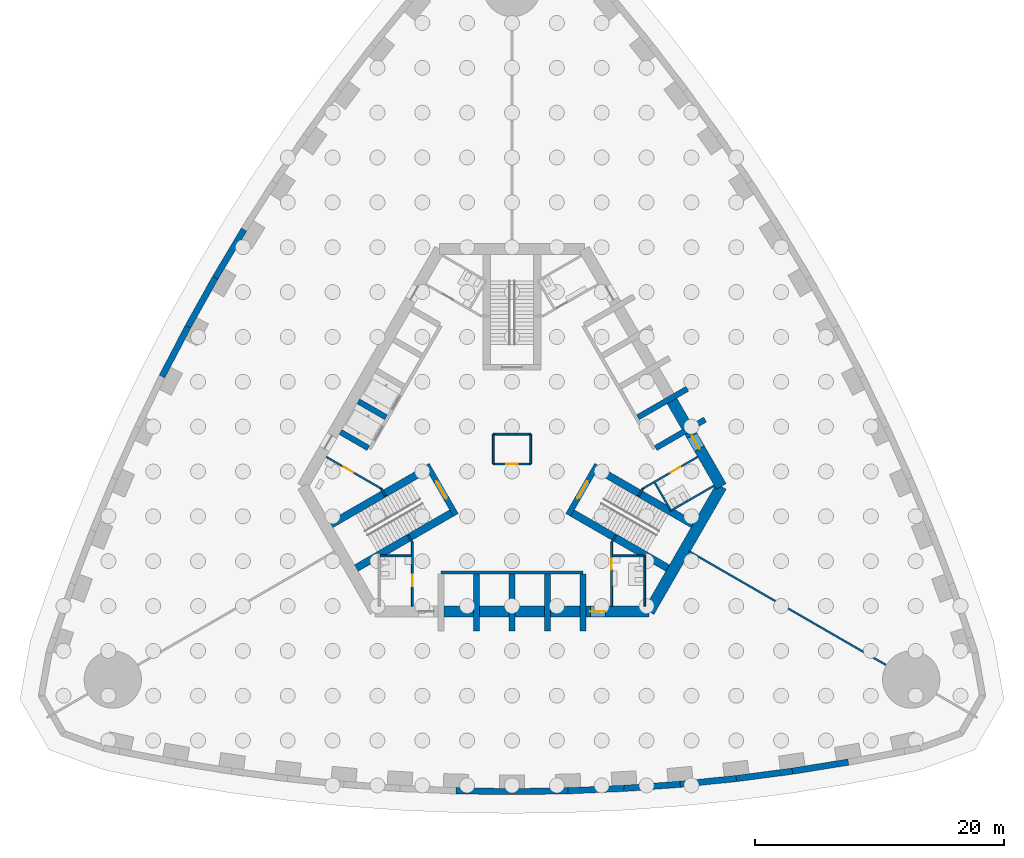
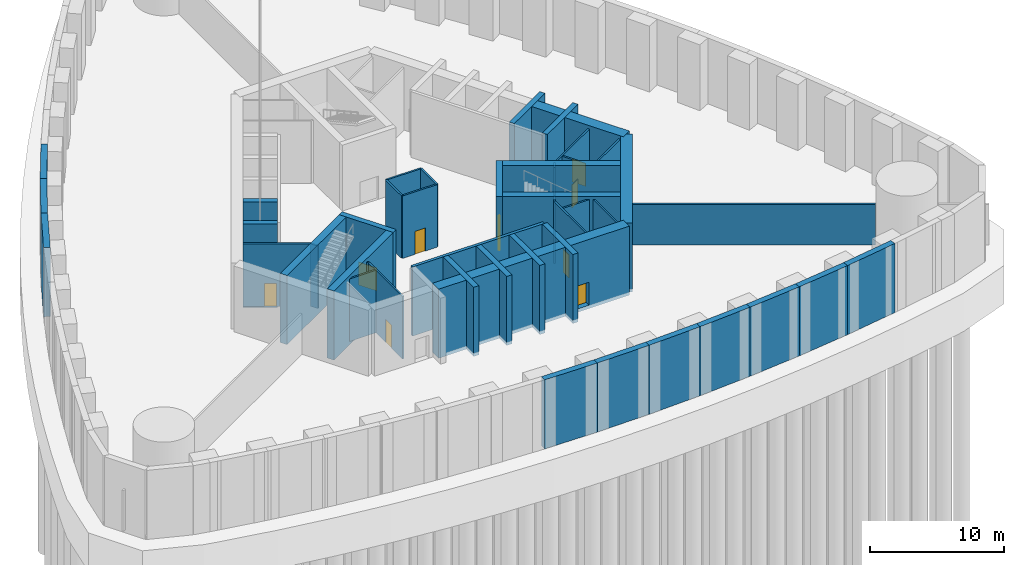
# One storey, part 3 of 12: 51 walls, 9 doors, 9 openings.
"""IFC4 building model written with IfcOpenShell, lengths in metres."""

from ifc_helpers import new_model, si_unit, direction, frame, frame_2d, origin, place, context, subcontext, project, spatial, rectangle, extrude, material, layer, layer_set, type_object, element, fill, save


model = new_model("IFC4")

# Units and contexts
model_context = context("Model", 3, precision=1e-05, world=origin(), true_north=direction((0.0, 1.0)))
body_context = subcontext(model_context, "Body", "Model", "MODEL_VIEW")
ifc_project = project(units=[si_unit("LENGTHUNIT", "METRE"), si_unit("AREAUNIT", "SQUARE_METRE"), si_unit("VOLUMEUNIT", "CUBIC_METRE"), si_unit("PLANEANGLEUNIT", "RADIAN"), si_unit("MASSUNIT", "GRAM", prefix="KILO")], contexts=[model_context])

# Site, building, storey
site_placement = place(None, origin())
site = spatial("IfcSite", under=ifc_project, at=site_placement, CompositionType="ELEMENT")
building_placement = place(site_placement, origin())
building = spatial("IfcBuilding", under=site, at=building_placement, Name="Trefoil Bronze Tower", CompositionType="ELEMENT")
storey_placement = place(building_placement, frame((0.0, 0.0, -6.0)))
storey = spatial("IfcBuildingStorey", under=building, at=storey_placement, Name="B1", CompositionType="ELEMENT", Elevation=-6.0)

# Walls
ifc_material_1 = material(Name="Concrete B40", Category="concrete")
ifc_layer_1 = layer(ifc_material_1, 0.5)
ifc_layer_set_1 = layer_set([ifc_layer_1], Name="Basement wall 500")
wall_type_1 = type_object("IfcWallType", Name="Basement wall 500", PredefinedType="SOLIDWALL", material=ifc_layer_set_1)
for number, where, z_axis, x_axis, name in (
    (1, (-4.5, -27.433349609375, -0.300048828125), (0.0, 0.0, 1.0), (0.999894311967, -0.014538393859, 0.0), "Basement wall 8"),
    (2, (0.0, -27.498779296875, -0.300048828125), (0.0, 0.0, 1.0), (0.999894311967, 0.014538393859, 0.0), "Basement wall 9"),
):
    element("IfcWall", number, at=place(storey_placement, frame(where, z_axis=z_axis, x_axis=x_axis)), inside=storey, type_object=wall_type_1, Name=name, PredefinedType="SOLIDWALL", context=body_context, shape_type="SweptSolid", body=[
        extrude(rectangle(XDim=4.50048828125, YDim=0.5, at=frame_2d((2.250244140625, 0.0))), origin(), (0.0, 0.0, 1.0), 6.300048828125),
    ])
wall_1_placement = place(storey_placement, frame((4.5, -27.433349609375, -0.300048828125), z_axis=(0.0, 0.0, 1.0), x_axis=(0.999052370647, 0.043524254212, 0.0)))
element("IfcWall", 3, at=wall_1_placement, inside=storey, type_object=wall_type_1, Name="Basement wall 10", PredefinedType="SOLIDWALL", context=body_context, shape_type="SweptSolid", body=[
    extrude(rectangle(XDim=4.504150390625, YDim=0.5, at=frame_2d((2.251953125, 0.0))), origin(), (0.0, 0.0, 1.0), 6.300048828125),
])
wall_2_placement = place(storey_placement, frame((9.0, -27.2373046875, -0.300048828125), z_axis=(0.0, 0.0, 1.0), x_axis=(0.997363894896, 0.072562119306, 0.0)))
element("IfcWall", 4, at=wall_2_placement, inside=storey, type_object=wall_type_1, Name="Basement wall 11", PredefinedType="SOLIDWALL", context=body_context, shape_type="SweptSolid", body=[
    extrude(rectangle(XDim=4.511962890625, YDim=0.5, at=frame_2d((2.255859375, 0.0))), origin(), (0.0, 0.0, 1.0), 6.300048828125),
])
wall_3_placement = place(storey_placement, frame((13.5, -26.909912109375, -0.300048828125), z_axis=(0.0, 0.0, 1.0), x_axis=(0.994833141332, 0.101523499286, 0.0)))
element("IfcWall", 5, at=wall_3_placement, inside=storey, type_object=wall_type_1, Name="Basement wall 12", PredefinedType="SOLIDWALL", context=body_context, shape_type="SweptSolid", body=[
    extrude(rectangle(XDim=4.5234375, YDim=0.5, at=frame_2d((2.26171875, 0.0))), origin(), (0.0, 0.0, 1.0), 6.300048828125),
])
wall_4_placement = place(storey_placement, frame((18.0, -26.45068359375, -0.300048828125), z_axis=(0.0, 0.0, 1.0), x_axis=(0.991435244698, 0.130599217346, 0.0)))
element("IfcWall", 6, at=wall_4_placement, inside=storey, type_object=wall_type_1, Name="Basement wall 13", PredefinedType="SOLIDWALL", context=body_context, shape_type="SweptSolid", body=[
    extrude(rectangle(XDim=4.538818359375, YDim=0.5, at=frame_2d((2.26953125, 0.0))), origin(), (0.0, 0.0, 1.0), 6.300048828125),
])
wall_5_placement = place(storey_placement, frame((22.5, -25.85791015625, -0.300048828125), z_axis=(0.0, 0.0, 1.0), x_axis=(0.987181300889, 0.159602879593, 0.0)))
element("IfcWall", 7, at=wall_5_placement, inside=storey, type_object=wall_type_1, Name="Basement wall 14", PredefinedType="SOLIDWALL", context=body_context, shape_type="SweptSolid", body=[
    extrude(rectangle(XDim=4.558349609375, YDim=0.5, at=frame_2d((2.279296875, 0.0))), origin(), (0.0, 0.0, 1.0), 6.300048828125),
])
wall_6_placement = place(storey_placement, frame((-21.508056640625, 17.61376953125, -0.300048828125), z_axis=(0.0, 0.0, 1.0), x_axis=(-0.51252396108, -0.858672923364, 0.0)))
element("IfcWall", 8, at=wall_6_placement, inside=storey, type_object=wall_type_1, Name="Basement wall 46", PredefinedType="SOLIDWALL", context=body_context, shape_type="SweptSolid", body=[
    extrude(rectangle(XDim=4.50048828125, YDim=0.5, at=frame_2d((2.250244140625, 0.0))), origin(), (0.0, 0.0, 1.0), 6.300048828125),
])
wall_7_placement = place(storey_placement, frame((-23.814697265625, 13.749267578125, -0.300048828125), z_axis=(0.0, 0.0, 1.0), x_axis=(-0.487373854787, -0.873193406795, 0.0)))
element("IfcWall", 9, at=wall_7_placement, inside=storey, type_object=wall_type_1, Name="Basement wall 47", PredefinedType="SOLIDWALL", context=body_context, shape_type="SweptSolid", body=[
    extrude(rectangle(XDim=4.500244140625, YDim=0.5, at=frame_2d((2.25, 0.0))), origin(), (0.0, 0.0, 1.0), 6.300048828125),
])
wall_8_placement = place(storey_placement, frame((-26.008056640625, 9.819580078125, -0.300048828125), z_axis=(0.0, 0.0, 1.0), x_axis=(-0.461810056307, -0.886978845235, 0.0)))
element("IfcWall", 10, at=wall_8_placement, inside=storey, type_object=wall_type_1, Name="Basement wall 48", PredefinedType="SOLIDWALL", context=body_context, shape_type="SweptSolid", body=[
    extrude(rectangle(XDim=4.504150390625, YDim=0.5, at=frame_2d((2.251953125, 0.0))), origin(), (0.0, 0.0, 1.0), 6.300048828125),
])
ifc_material_2 = material(Name="Concrete B80", Category="concrete")
ifc_layer_2 = layer(ifc_material_2, 0.89990234375)
ifc_layer_set_2 = layer_set([ifc_layer_2], Name="Core wall 900")
wall_type_2 = type_object("IfcWallType", Name="Core wall 900", PredefinedType="SHEAR", material=ifc_layer_set_2)
wall_9_placement = place(storey_placement, frame((-5.47509765625, -13.050048828125, -0.300048828125), z_axis=(0.0, 0.0, 1.0), x_axis=(1.0, 0.0, 0.0)))
element("IfcWall", 11, at=wall_9_placement, inside=storey, type_object=wall_type_2, Name="Core long wall 1-2 B1", PredefinedType="SHEAR", context=body_context, shape_type="SweptSolid", body=[
    extrude(rectangle(XDim=2.400146484375, YDim=0.89990234375, at=frame_2d((1.2001953125, 0.0))), origin(), (0.0, 0.0, 1.0), 6.300048828125),
])
for number, where, z_axis, x_axis, name in (
    (12, (-2.625, -13.050048828125, -0.300048828125), (0.0, 0.0, 1.0), (1.0, 0.0, 0.0), "Core long wall 1-3 B1"),
    (13, (0.22509765625, -13.050048828125, -0.300048828125), (0.0, 0.0, 1.0), (1.0, 0.0, 0.0), "Core long wall 1-4 B1"),
):
    element("IfcWall", number, at=place(storey_placement, frame(where, z_axis=z_axis, x_axis=x_axis)), inside=storey, type_object=wall_type_2, Name=name, PredefinedType="SHEAR", context=body_context, shape_type="SweptSolid", body=[
        extrude(rectangle(XDim=2.39990234375, YDim=0.89990234375, at=frame_2d((1.199951171875, 0.0))), origin(), (0.0, 0.0, 1.0), 6.300048828125),
    ])
wall_10_placement = place(storey_placement, frame((3.074951171875, -13.050048828125, -0.300048828125), z_axis=(0.0, 0.0, 1.0), x_axis=(1.0, 0.0, 0.0)))
element("IfcWall", 14, at=wall_10_placement, inside=storey, type_object=wall_type_2, Name="Core long wall 1-5 B1", PredefinedType="SHEAR", context=body_context, shape_type="SweptSolid", body=[
    extrude(rectangle(XDim=2.400146484375, YDim=0.89990234375, at=frame_2d((1.2001953125, 0.0))), origin(), (0.0, 0.0, 1.0), 6.300048828125),
])

# Wall, opening, door
wall_11_placement = place(storey_placement, frame((5.925048828125, -13.050048828125, -0.300048828125), z_axis=(0.0, 0.0, 1.0), x_axis=(1.0, 0.0, 0.0)))
wall_11 = element("IfcWall", 15, at=wall_11_placement, inside=storey, type_object=wall_type_2, Name="Core long wall 1-6 B1", PredefinedType="SHEAR", context=body_context, shape_type="SweptSolid", body=[
    extrude(rectangle(XDim=5.073486328125, YDim=0.89990234375, at=frame_2d((2.53662109375, 0.0))), origin(), (0.0, 0.0, 1.0), 6.300048828125),
])
opening_1_placement = place(wall_11_placement, frame((0.375, 0.0, 0.300048828125)))
opening_1 = element("IfcOpeningElement", 16, at=opening_1_placement, cuts=wall_11, Name="Opening D2", PredefinedType="OPENING", context=body_context, shape_type="SweptSolid", body=[
    extrude(rectangle(XDim=1.199951171875, YDim=2.10009765625, at=frame_2d((0.60009765625, 1.050048828125))), frame((0.0, 0.4599609375, 0.0), z_axis=(0.0, -1.0, 0.0), x_axis=(1.0, 0.0, 0.0)), (0.0, 0.0, 1.0), 0.919921875),
])
ifc_material_3 = material(Name="Steel door", Category="steel")
door_type_1 = type_object("IfcDoorType", Name="Lobby door 1200", OperationType="SINGLE_SWING_RIGHT", PredefinedType="DOOR", material=ifc_material_3)
door_1_placement = place(opening_1_placement, origin())
door_1 = element("IfcDoor", 17, at=door_1_placement, inside=storey, type_object=door_type_1, Name="Lobby door F1+ B1", OperationType="SINGLE_SWING_LEFT", OverallHeight=2.10009765625, OverallWidth=1.199951171875, PredefinedType="DOOR", context=body_context, shape_type="SweptSolid", body=[
    extrude(rectangle(XDim=1.199951171875, YDim=2.10009765625, at=frame_2d((0.60009765625, 1.050048828125))), frame((0.0, 0.02490234375, 0.0), z_axis=(0.0, -1.0, 0.0), x_axis=(1.0, 0.0, 0.0)), (0.0, 0.0, 1.0), 0.050048828125),
])
fill(opening_1, door_1)

# Wall
wall_12_placement = place(storey_placement, frame((10.99853515625, -13.050048828125, -0.300048828125), z_axis=(0.0, 0.0, 1.0), x_axis=(0.499990156827, 0.866031086669, 0.0)))
element("IfcWall", 18, at=wall_12_placement, inside=storey, type_object=wall_type_2, Name="Core short wall 1 B1", PredefinedType="SHEAR", context=body_context, shape_type="SweptSolid", body=[
    extrude(rectangle(XDim=11.604736328125, YDim=0.89990234375, at=frame_2d((5.80224609375, 0.0))), origin(), (0.0, 0.0, 1.0), 6.300048828125),
])

# Wall, opening, door
wall_13_placement = place(storey_placement, frame((16.80078125, -3.0, -0.300048828125), z_axis=(0.0, 0.0, 1.0), x_axis=(-0.499979327182, 0.866037338912, 0.0)))
wall_13 = element("IfcWall", 19, at=wall_13_placement, inside=storey, type_object=wall_type_2, Name="Core long wall 2-1 B1", PredefinedType="SHEAR", context=body_context, shape_type="SweptSolid", body=[
    extrude(rectangle(XDim=5.073486328125, YDim=0.89990234375, at=frame_2d((2.53662109375, 0.0))), origin(), (0.0, 0.0, 1.0), 6.300048828125),
])
opening_2_placement = place(wall_13_placement, frame((3.49853515625, 0.0, 0.300048828125)))
opening_2 = element("IfcOpeningElement", 20, at=opening_2_placement, cuts=wall_13, Name="Opening D2", PredefinedType="OPENING", context=body_context, shape_type="SweptSolid", body=[
    extrude(rectangle(XDim=1.199951171875, YDim=2.10009765625, at=frame_2d((0.60009765625, 1.050048828125))), frame((0.0, 0.4599609375, 0.0), z_axis=(0.0, -1.0, 0.0), x_axis=(1.0, 0.0, 0.0)), (0.0, 0.0, 1.0), 0.919921875),
])
door_2_placement = place(opening_2_placement, origin())
door_2 = element("IfcDoor", 21, at=door_2_placement, inside=storey, type_object=door_type_1, Name="Lobby door F2- B1", OperationType="SINGLE_SWING_RIGHT", OverallHeight=2.10009765625, OverallWidth=1.199951171875, PredefinedType="DOOR", context=body_context, shape_type="SweptSolid", body=[
    extrude(rectangle(XDim=1.199951171875, YDim=2.10009765625, at=frame_2d((0.60009765625, 1.050048828125))), frame((0.0, 0.02490234375, 0.0), z_axis=(0.0, -1.0, 0.0), x_axis=(1.0, 0.0, 0.0)), (0.0, 0.0, 1.0), 0.050048828125),
])
fill(opening_2, door_2)

# Walls
wall_14_placement = place(storey_placement, frame((14.0390625, 1.783447265625, -0.300048828125), z_axis=(0.0, 0.0, 1.0), x_axis=(-0.499957262057, 0.866050077142, 0.0)))
element("IfcWall", 22, at=wall_14_placement, inside=storey, type_object=wall_type_2, Name="Core long wall 2-2 B1", PredefinedType="SHEAR", context=body_context, shape_type="SweptSolid", body=[
    extrude(rectangle(XDim=2.400146484375, YDim=0.89990234375, at=frame_2d((1.2001953125, 0.0))), origin(), (0.0, 0.0, 1.0), 6.300048828125),
])
ifc_material_4 = material(Name="Concrete B80", Category="concrete")
ifc_layer_3 = layer(ifc_material_4, 0.449951171875)
ifc_layer_set_3 = layer_set([ifc_layer_3], Name="Outrigger shaft wall 450")
wall_type_3 = type_object("IfcWallType", Name="Outrigger shaft wall 450", PredefinedType="SHEAR", material=ifc_layer_set_3)
for number, where, z_axis, x_axis, name in (
    (23, (-2.85009765625, -10.02490234375, -0.300048828125), (0.0, 0.0, 1.0), (0.0, -1.0, 0.0), "Lift shaft side wall A1 B1"),
    (24, (0.0, -10.02490234375, -0.300048828125), (0.0, 0.0, 1.0), (0.0, -1.0, 0.0), "Lift shaft side wall A2 B1"),
    (25, (2.85009765625, -10.02490234375, -0.300048828125), (0.0, 0.0, 1.0), (0.0, -1.0, 0.0), "Lift shaft side wall A3 B1"),
    (26, (5.699951171875, -10.02490234375, -0.300048828125), (0.0, 0.0, 1.0), (0.0, -1.0, 0.0), "Lift shaft side wall A4 B1"),
):
    element("IfcWall", number, at=place(storey_placement, frame(where, z_axis=z_axis, x_axis=x_axis)), inside=storey, type_object=wall_type_3, Name=name, PredefinedType="SHEAR", context=body_context, shape_type="SweptSolid", body=[
        extrude(rectangle(XDim=4.5751953125, YDim=0.449951171875, at=frame_2d((2.28759765625, 0.0))), origin(), (0.0, 0.0, 1.0), 6.300048828125),
    ])
for number, where, z_axis, x_axis, name in (
    (27, (11.531982421875, 0.076171875, -0.300048828125), (0.0, 0.0, 1.0), (0.86600784526, 0.500030411023, 0.0), "Lift shaft side wall B0 B1"),
    (28, (10.10693359375, 2.54443359375, -0.300048828125), (0.0, 0.0, 1.0), (0.866044293806, 0.499967280095, 0.0), "Lift shaft side wall B1 B1"),
):
    element("IfcWall", number, at=place(storey_placement, frame(where, z_axis=z_axis, x_axis=x_axis)), inside=storey, type_object=wall_type_3, Name=name, PredefinedType="SHEAR", context=body_context, shape_type="SweptSolid", body=[
        extrude(rectangle(XDim=4.574951171875, YDim=0.449951171875, at=frame_2d((2.28759765625, 0.0))), origin(), (0.0, 0.0, 1.0), 6.300048828125),
    ])
for number, where, z_axis, x_axis, name in (
    (29, (-10.10693359375, 2.54443359375, -1.60009765625), (0.0, 0.0, 1.0), (-0.866046643894, 0.499963209246, 0.0), "Lift shaft side wall C3 B1"),
    (30, (-11.531982421875, 0.076171875, -1.60009765625), (0.0, 0.0, 1.0), (-0.866005588531, 0.500034319456, 0.0), "Lift shaft side wall C4 B1"),
):
    element("IfcWall", number, at=place(storey_placement, frame(where, z_axis=z_axis, x_axis=x_axis)), inside=storey, type_object=wall_type_3, Name=name, PredefinedType="SHEAR", context=body_context, shape_type="SweptSolid", body=[
        extrude(rectangle(XDim=2.574951171875, YDim=0.449951171875, at=frame_2d((1.28759765625, 0.0))), origin(), (0.0, 0.0, 1.0), 7.60009765625),
    ])

# Wall, opening, door
wall_15_placement = place(storey_placement, frame((4.510009765625, -5.28857421875, -0.300048828125), z_axis=(0.0, 0.0, 1.0), x_axis=(0.499984536904, 0.866034331223, 0.0)))
wall_15 = element("IfcWall", 31, at=wall_15_placement, inside=storey, type_object=wall_type_3, Name="Stair end wall ST1 B1", PredefinedType="SHEAR", context=body_context, shape_type="SweptSolid", body=[
    extrude(rectangle(XDim=4.650146484375, YDim=0.449951171875, at=frame_2d((2.3251953125, 0.0))), origin(), (0.0, 0.0, 1.0), 6.300048828125),
])
opening_3_placement = place(wall_15_placement, frame((1.52490234375, 0.0, 0.300048828125)))
opening_3 = element("IfcOpeningElement", 32, at=opening_3_placement, cuts=wall_15, Name="Opening D1", PredefinedType="OPENING", context=body_context, shape_type="SweptSolid", body=[
    extrude(rectangle(XDim=1.60009765625, YDim=2.10009765625, at=frame_2d((0.800048828125, 1.050048828125))), frame((0.0, 0.23486328125, 0.0), z_axis=(0.0, -1.0, 0.0), x_axis=(1.0, 0.0, 0.0)), (0.0, 0.0, 1.0), 0.469970703125),
])
ifc_material_5 = material(Name="Steel door", Category="steel")
door_type_2 = type_object("IfcDoorType", Name="Stair door 1600", OperationType="DOUBLE_DOOR_SINGLE_SWING", PredefinedType="DOOR", material=ifc_material_5)
door_3_placement = place(opening_3_placement, frame((1.60009765625, 0.0, 0.0), z_axis=(0.0, 0.0, 1.0), x_axis=(-1.0, 0.0, 0.0)))
door_3 = element("IfcDoor", 33, at=door_3_placement, inside=storey, type_object=door_type_2, Name="Stair door ST1 B1", OperationType="DOUBLE_DOOR_SINGLE_SWING", OverallHeight=2.10009765625, OverallWidth=1.60009765625, PredefinedType="DOOR", context=body_context, shape_type="SweptSolid", body=[
    extrude(rectangle(XDim=1.60009765625, YDim=2.10009765625, at=frame_2d((0.800048828125, 1.050048828125))), frame((0.0, 0.02490234375, 0.0), z_axis=(0.0, -1.0, 0.0), x_axis=(1.0, 0.0, 0.0)), (0.0, 0.0, 1.0), 0.050048828125),
])
fill(opening_3, door_3)

wall_16_placement = place(storey_placement, frame((-6.8349609375, -1.261474609375, -0.300048828125), z_axis=(0.0, 0.0, 1.0), x_axis=(0.499984536904, -0.866034331223, 0.0)))
wall_16 = element("IfcWall", 34, at=wall_16_placement, inside=storey, type_object=wall_type_3, Name="Stair end wall ST3 B1", PredefinedType="SHEAR", context=body_context, shape_type="SweptSolid", body=[
    extrude(rectangle(XDim=4.650146484375, YDim=0.449951171875, at=frame_2d((2.3251953125, 0.0))), origin(), (0.0, 0.0, 1.0), 6.300048828125),
])
opening_4_placement = place(wall_16_placement, frame((1.52490234375, 0.0, 0.300048828125)))
opening_4 = element("IfcOpeningElement", 35, at=opening_4_placement, cuts=wall_16, Name="Opening D1", PredefinedType="OPENING", context=body_context, shape_type="SweptSolid", body=[
    extrude(rectangle(XDim=1.60009765625, YDim=2.10009765625, at=frame_2d((0.800048828125, 1.050048828125))), frame((0.0, 0.23486328125, 0.0), z_axis=(0.0, -1.0, 0.0), x_axis=(1.0, 0.0, 0.0)), (0.0, 0.0, 1.0), 0.469970703125),
])
door_4_placement = place(opening_4_placement, frame((1.60009765625, 0.0, 0.0), z_axis=(0.0, 0.0, 1.0), x_axis=(-1.0, 0.0, 0.0)))
door_4 = element("IfcDoor", 36, at=door_4_placement, inside=storey, type_object=door_type_2, Name="Stair door ST3 B1", OperationType="DOUBLE_DOOR_SINGLE_SWING", OverallHeight=2.10009765625, OverallWidth=1.60009765625, PredefinedType="DOOR", context=body_context, shape_type="SweptSolid", body=[
    extrude(rectangle(XDim=1.60009765625, YDim=2.10009765625, at=frame_2d((0.800048828125, 1.050048828125))), frame((0.0, 0.02490234375, 0.0), z_axis=(0.0, -1.0, 0.0), x_axis=(1.0, 0.0, 0.0)), (0.0, 0.0, 1.0), 0.050048828125),
])
fill(opening_4, door_4)

ifc_material_6 = material(Name="Gypsum board on steel studs", Category="steel")
ifc_layer_4 = layer(ifc_material_6, 0.14990234375)
ifc_layer_set_4 = layer_set([ifc_layer_4], Name="Partition 150")
wall_type_4 = type_object("IfcWallType", Name="Partition 150", PredefinedType="PARTITIONING", material=ifc_layer_set_4)
wall_17_placement = place(storey_placement, frame((8.0, -7.5, 0.0), z_axis=(0.0, 0.0, 1.0), x_axis=(0.0, -1.0, 0.0)))
wall_17 = element("IfcWall", 37, at=wall_17_placement, inside=storey, type_object=wall_type_4, Name="Passage wall F1+ B1", PredefinedType="PARTITIONING", context=body_context, shape_type="SweptSolid", body=[
    extrude(rectangle(XDim=5.10009765625, YDim=0.14990234375, at=frame_2d((2.550048828125, 0.0))), origin(), (0.0, 0.0, 1.0), 5.699951171875),
])
opening_5_placement = place(wall_17_placement, frame((1.300048828125, 0.0, 0.0)))
opening_5 = element("IfcOpeningElement", 38, at=opening_5_placement, cuts=wall_17, Name="Opening D3", PredefinedType="OPENING", context=body_context, shape_type="SweptSolid", body=[
    extrude(rectangle(XDim=0.89990234375, YDim=2.10009765625, at=frame_2d((0.449951171875, 1.050048828125))), frame((0.0, 0.0849609375, 0.0), z_axis=(0.0, -1.0, 0.0), x_axis=(1.0, 0.0, 0.0)), (0.0, 0.0, 1.0), 0.169921875),
])
ifc_material_7 = material(Name="Timber door", Category="wood")
door_type_3 = type_object("IfcDoorType", Name="WC door 900", OperationType="SINGLE_SWING_LEFT", PredefinedType="DOOR", material=ifc_material_7)
door_5_placement = place(opening_5_placement, origin())
door_5 = element("IfcDoor", 39, at=door_5_placement, inside=storey, type_object=door_type_3, Name="WC (men) door B1", OperationType="SINGLE_SWING_LEFT", OverallHeight=2.10009765625, OverallWidth=0.89990234375, PredefinedType="DOOR", context=body_context, shape_type="SweptSolid", body=[
    extrude(rectangle(XDim=0.89990234375, YDim=2.10009765625, at=frame_2d((0.449951171875, 1.050048828125))), frame((0.0, 0.02490234375, 0.0), z_axis=(0.0, -1.0, 0.0), x_axis=(1.0, 0.0, 0.0)), (0.0, 0.0, 1.0), 0.050048828125),
])
fill(opening_5, door_5)

wall_18_placement = place(storey_placement, frame((-8.0, -7.5, 0.0), z_axis=(0.0, 0.0, 1.0), x_axis=(0.0, -1.0, 0.0)))
wall_18 = element("IfcWall", 40, at=wall_18_placement, inside=storey, type_object=wall_type_4, Name="Passage wall F1- B1", PredefinedType="PARTITIONING", context=body_context, shape_type="SweptSolid", body=[
    extrude(rectangle(XDim=5.10009765625, YDim=0.14990234375, at=frame_2d((2.550048828125, 0.0))), origin(), (0.0, 0.0, 1.0), 5.699951171875),
])
opening_6_placement = place(wall_18_placement, frame((2.60009765625, 0.0, 0.0)))
opening_6 = element("IfcOpeningElement", 41, at=opening_6_placement, cuts=wall_18, Name="Opening D3", PredefinedType="OPENING", context=body_context, shape_type="SweptSolid", body=[
    extrude(rectangle(XDim=0.89990234375, YDim=2.10009765625, at=frame_2d((0.449951171875, 1.050048828125))), frame((0.0, 0.0849609375, 0.0), z_axis=(0.0, -1.0, 0.0), x_axis=(1.0, 0.0, 0.0)), (0.0, 0.0, 1.0), 0.169921875),
])
door_6_placement = place(opening_6_placement, frame((0.89990234375, 0.0, 0.0), z_axis=(0.0, 0.0, 1.0), x_axis=(-1.0, 0.0, 0.0)))
door_6 = element("IfcDoor", 42, at=door_6_placement, inside=storey, type_object=door_type_3, Name="WC (women) door B1", OperationType="SINGLE_SWING_RIGHT", OverallHeight=2.10009765625, OverallWidth=0.89990234375, PredefinedType="DOOR", context=body_context, shape_type="SweptSolid", body=[
    extrude(rectangle(XDim=0.89990234375, YDim=2.10009765625, at=frame_2d((0.449951171875, 1.050048828125))), frame((0.0, 0.02490234375, 0.0), z_axis=(0.0, -1.0, 0.0), x_axis=(1.0, 0.0, 0.0)), (0.0, 0.0, 1.0), 0.050048828125),
])
fill(opening_6, door_6)

wall_19_placement = place(storey_placement, frame((10.4951171875, -3.17822265625, 0.0), z_axis=(0.0, 0.0, 1.0), x_axis=(0.86602216432, 0.500005610874, 0.0)))
wall_19 = element("IfcWall", 43, at=wall_19_placement, inside=storey, type_object=wall_type_4, Name="Passage wall F2- B1", PredefinedType="PARTITIONING", context=body_context, shape_type="SweptSolid", body=[
    extrude(rectangle(XDim=5.10009765625, YDim=0.14990234375, at=frame_2d((2.550048828125, 0.0))), origin(), (0.0, 0.0, 1.0), 5.699951171875),
])
opening_7_placement = place(wall_19_placement, frame((2.60009765625, 0.0, 0.0)))
opening_7 = element("IfcOpeningElement", 44, at=opening_7_placement, cuts=wall_19, Name="Opening D3", PredefinedType="OPENING", context=body_context, shape_type="SweptSolid", body=[
    extrude(rectangle(XDim=0.89990234375, YDim=2.10009765625, at=frame_2d((0.449951171875, 1.050048828125))), frame((0.0, 0.0849609375, 0.0), z_axis=(0.0, -1.0, 0.0), x_axis=(1.0, 0.0, 0.0)), (0.0, 0.0, 1.0), 0.169921875),
])
door_7_placement = place(opening_7_placement, frame((0.89990234375, 0.0, 0.0), z_axis=(0.0, 0.0, 1.0), x_axis=(-1.0, 0.0, 0.0)))
door_7 = element("IfcDoor", 45, at=door_7_placement, inside=storey, type_object=door_type_3, Name="WC (women) door B1", OperationType="SINGLE_SWING_RIGHT", OverallHeight=2.10009765625, OverallWidth=0.89990234375, PredefinedType="DOOR", context=body_context, shape_type="SweptSolid", body=[
    extrude(rectangle(XDim=0.89990234375, YDim=2.10009765625, at=frame_2d((0.449951171875, 1.050048828125))), frame((0.0, 0.02490234375, 0.0), z_axis=(0.0, -1.0, 0.0), x_axis=(1.0, 0.0, 0.0)), (0.0, 0.0, 1.0), 0.050048828125),
])
fill(opening_7, door_7)

wall_20_placement = place(storey_placement, frame((-10.4951171875, -3.17822265625, 0.0), z_axis=(0.0, 0.0, 1.0), x_axis=(-0.86602216432, 0.500005610874, 0.0)))
wall_20 = element("IfcWall", 46, at=wall_20_placement, inside=storey, type_object=wall_type_4, Name="Passage wall F3+ B1", PredefinedType="PARTITIONING", context=body_context, shape_type="SweptSolid", body=[
    extrude(rectangle(XDim=5.10009765625, YDim=0.14990234375, at=frame_2d((2.550048828125, 0.0))), origin(), (0.0, 0.0, 1.0), 5.699951171875),
])
opening_8_placement = place(wall_20_placement, frame((2.60009765625, 0.0, 0.0)))
opening_8 = element("IfcOpeningElement", 47, at=opening_8_placement, cuts=wall_20, Name="Opening D3", PredefinedType="OPENING", context=body_context, shape_type="SweptSolid", body=[
    extrude(rectangle(XDim=0.89990234375, YDim=2.10009765625, at=frame_2d((0.449951171875, 1.050048828125))), frame((0.0, 0.0849609375, 0.0), z_axis=(0.0, -1.0, 0.0), x_axis=(1.0, 0.0, 0.0)), (0.0, 0.0, 1.0), 0.169921875),
])
door_8_placement = place(opening_8_placement, origin())
door_8 = element("IfcDoor", 48, at=door_8_placement, inside=storey, type_object=door_type_3, Name="Accessible WC door B1", OperationType="SINGLE_SWING_RIGHT", OverallHeight=2.10009765625, OverallWidth=0.89990234375, PredefinedType="DOOR", context=body_context, shape_type="SweptSolid", body=[
    extrude(rectangle(XDim=0.89990234375, YDim=2.10009765625, at=frame_2d((0.449951171875, 1.050048828125))), frame((0.0, 0.02490234375, 0.0), z_axis=(0.0, -1.0, 0.0), x_axis=(1.0, 0.0, 0.0)), (0.0, 0.0, 1.0), 0.050048828125),
])
fill(opening_8, door_8)

# Walls
for number, where, z_axis, x_axis, name in (
    (49, (8.0, -7.5, 0.0), (0.0, 0.0, 1.0), (0.499842556608, 0.866116284689, 0.0), "WC wall ST1-1 B1"),
    (50, (10.4951171875, -3.17822265625, 0.0), (0.0, 0.0, 1.0), (-0.499842556608, -0.866116284689, 0.0), "WC wall ST1+1 B1"),
    (51, (-10.4951171875, -3.17822265625, 0.0), (0.0, 0.0, 1.0), (0.499842556608, -0.866116284689, 0.0), "WC wall ST3-1 B1"),
    (52, (-8.0, -7.5, 0.0), (0.0, 0.0, 1.0), (-0.499842556608, 0.866116284689, 0.0), "WC wall ST3+1 B1"),
):
    element("IfcWall", number, at=place(storey_placement, frame(where, z_axis=z_axis, x_axis=x_axis)), inside=storey, type_object=wall_type_4, Name=name, PredefinedType="PARTITIONING", context=body_context, shape_type="SweptSolid", body=[
        extrude(rectangle(XDim=0.645263671875, YDim=0.14990234375, at=frame_2d((0.32275390625, 0.0))), origin(), (0.0, 0.0, 1.0), 5.699951171875),
    ])
wall_21_placement = place(storey_placement, frame((10.659912109375, -8.5, 0.0), z_axis=(0.0, 0.0, 1.0), x_axis=(0.0, -1.0, 0.0)))
element("IfcWall", 53, at=wall_21_placement, inside=storey, type_object=wall_type_4, Name="WC partition WC (men) B1", PredefinedType="PARTITIONING", context=body_context, shape_type="SweptSolid", body=[
    extrude(rectangle(XDim=4.10009765625, YDim=0.14990234375, at=frame_2d((2.050048828125, 0.0))), origin(), (0.0, 0.0, 1.0), 5.699951171875),
])
wall_22_placement = place(storey_placement, frame((8.074951171875, -8.574951171875, 0.0), z_axis=(0.0, 0.0, 1.0), x_axis=(1.0, 0.0, 0.0)))
element("IfcWall", 54, at=wall_22_placement, inside=storey, type_object=wall_type_4, Name="WC partition WC (men) B1", PredefinedType="PARTITIONING", context=body_context, shape_type="SweptSolid", body=[
    extrude(rectangle(XDim=2.510009765625, YDim=0.14990234375, at=frame_2d((1.2548828125, 0.0))), origin(), (0.0, 0.0, 1.0), 5.699951171875),
])
wall_23_placement = place(storey_placement, frame((12.691162109375, -4.98193359375, 0.0), z_axis=(0.0, 0.0, 1.0), x_axis=(0.8660249478, 0.500000789788, 0.0)))
element("IfcWall", 55, at=wall_23_placement, inside=storey, type_object=wall_type_4, Name="WC partition WC (women) B1", PredefinedType="PARTITIONING", context=body_context, shape_type="SweptSolid", body=[
    extrude(rectangle(XDim=4.10009765625, YDim=0.14990234375, at=frame_2d((2.050048828125, 0.0))), origin(), (0.0, 0.0, 1.0), 5.699951171875),
])
wall_24_placement = place(storey_placement, frame((11.463623046875, -2.70556640625, 0.0), z_axis=(0.0, 0.0, 1.0), x_axis=(0.50001992892, -0.866013897511, 0.0)))
element("IfcWall", 56, at=wall_24_placement, inside=storey, type_object=wall_type_4, Name="WC partition WC (women) B1", PredefinedType="PARTITIONING", context=body_context, shape_type="SweptSolid", body=[
    extrude(rectangle(XDim=2.51025390625, YDim=0.14990234375, at=frame_2d((1.255126953125, 0.0))), origin(), (0.0, 0.0, 1.0), 5.699951171875),
])
wall_25_placement = place(storey_placement, frame((-8.074951171875, -8.574951171875, 0.0), z_axis=(0.0, 0.0, 1.0), x_axis=(-1.0, 0.0, 0.0)))
element("IfcWall", 57, at=wall_25_placement, inside=storey, type_object=wall_type_4, Name="WC partition WC (women) B1", PredefinedType="PARTITIONING", context=body_context, shape_type="SweptSolid", body=[
    extrude(rectangle(XDim=2.510009765625, YDim=0.14990234375, at=frame_2d((1.2548828125, 0.0))), origin(), (0.0, 0.0, 1.0), 5.699951171875),
])
ifc_material_8 = material(Name="Gypsum board on steel studs", Category="steel")
ifc_layer_5 = layer(ifc_material_8, 0.14990234375)
ifc_layer_set_5 = layer_set([ifc_layer_5], Name="Party wall 150")
wall_type_5 = type_object("IfcWallType", Name="Party wall 150", PredefinedType="PARTITIONING", material=ifc_layer_set_5)
wall_26_placement = place(storey_placement, frame((14.202880859375, -8.199951171875, 0.0), z_axis=(0.0, 0.0, 1.0), x_axis=(0.866024965723, -0.500000758745, 0.0)))
element("IfcWall", 58, at=wall_26_placement, inside=storey, type_object=wall_type_5, Name="Party wall K1 B1", PredefinedType="PARTITIONING", context=body_context, shape_type="SweptSolid", body=[
    extrude(rectangle(XDim=18.25, YDim=0.14990234375, at=frame_2d((9.125, 0.0))), origin(), (0.0, 0.0, 1.0), 3.699951171875),
])

# Wall, opening, door
ifc_material_9 = material(Name="Gypsum board on steel studs", Category="steel")
ifc_layer_6 = layer(ifc_material_9, 0.14990234375)
ifc_layer_set_6 = layer_set([ifc_layer_6], Name="Riser wall 150")
wall_type_6 = type_object("IfcWallType", Name="Riser wall 150", PredefinedType="PARTITIONING", material=ifc_layer_set_6)
wall_27_placement = place(storey_placement, frame((-1.5, -1.199951171875, 0.0), z_axis=(0.0, 0.0, 1.0), x_axis=(1.0, 0.0, 0.0)))
wall_27 = element("IfcWall", 59, at=wall_27_placement, inside=storey, type_object=wall_type_6, Name="Riser wall B1", PredefinedType="PARTITIONING", context=body_context, shape_type="SweptSolid", body=[
    extrude(rectangle(XDim=3.0, YDim=0.14990234375, at=frame_2d((1.5, 0.0))), origin(), (0.0, 0.0, 1.0), 5.699951171875),
])
opening_9_placement = place(wall_27_placement, frame((1.050048828125, 0.0, 0.0)))
opening_9 = element("IfcOpeningElement", 60, at=opening_9_placement, cuts=wall_27, Name="Opening D4", PredefinedType="OPENING", context=body_context, shape_type="SweptSolid", body=[
    extrude(rectangle(XDim=0.89990234375, YDim=2.10009765625, at=frame_2d((0.449951171875, 1.050048828125))), frame((0.0, 0.0849609375, 0.0), z_axis=(0.0, -1.0, 0.0), x_axis=(1.0, 0.0, 0.0)), (0.0, 0.0, 1.0), 0.169921875),
])
ifc_material_10 = material(Name="Steel door", Category="steel")
door_type_4 = type_object("IfcDoorType", Name="Riser door 900", OperationType="SINGLE_SWING_LEFT", PredefinedType="DOOR", material=ifc_material_10)
door_9_placement = place(opening_9_placement, frame((0.89990234375, 0.0, 0.0), z_axis=(0.0, 0.0, 1.0), x_axis=(-1.0, 0.0, 0.0)))
door_9 = element("IfcDoor", 61, at=door_9_placement, inside=storey, type_object=door_type_4, Name="Riser door B1", OperationType="SINGLE_SWING_LEFT", OverallHeight=2.10009765625, OverallWidth=0.89990234375, PredefinedType="DOOR", context=body_context, shape_type="SweptSolid", body=[
    extrude(rectangle(XDim=0.89990234375, YDim=2.10009765625, at=frame_2d((0.449951171875, 1.050048828125))), frame((0.0, 0.02490234375, 0.0), z_axis=(0.0, -1.0, 0.0), x_axis=(1.0, 0.0, 0.0)), (0.0, 0.0, 1.0), 0.050048828125),
])
fill(opening_9, door_9)

# Walls
wall_28_placement = place(storey_placement, frame((1.5, -1.199951171875, 0.0), z_axis=(0.0, 0.0, 1.0), x_axis=(0.0, 1.0, 0.0)))
element("IfcWall", 62, at=wall_28_placement, inside=storey, type_object=wall_type_6, Name="Riser wall B1", PredefinedType="PARTITIONING", context=body_context, shape_type="SweptSolid", body=[
    extrude(rectangle(XDim=2.39990234375, YDim=0.14990234375, at=frame_2d((1.199951171875, 0.0))), origin(), (0.0, 0.0, 1.0), 5.699951171875),
])
wall_29_placement = place(storey_placement, frame((1.5, 1.199951171875, 0.0), z_axis=(0.0, 0.0, 1.0), x_axis=(-1.0, 0.0, 0.0)))
element("IfcWall", 63, at=wall_29_placement, inside=storey, type_object=wall_type_6, Name="Riser wall B1", PredefinedType="PARTITIONING", context=body_context, shape_type="SweptSolid", body=[
    extrude(rectangle(XDim=3.0, YDim=0.14990234375, at=frame_2d((1.5, 0.0))), origin(), (0.0, 0.0, 1.0), 5.699951171875),
])
wall_30_placement = place(storey_placement, frame((-1.5, 1.199951171875, 0.0), z_axis=(0.0, 0.0, 1.0), x_axis=(0.0, -1.0, 0.0)))
element("IfcWall", 64, at=wall_30_placement, inside=storey, type_object=wall_type_6, Name="Riser wall B1", PredefinedType="PARTITIONING", context=body_context, shape_type="SweptSolid", body=[
    extrude(rectangle(XDim=2.39990234375, YDim=0.14990234375, at=frame_2d((1.199951171875, 0.0))), origin(), (0.0, 0.0, 1.0), 5.699951171875),
])
ifc_material_11 = material(Name="Concrete B80", Category="concrete")
ifc_layer_7 = layer(ifc_material_11, 0.25)
ifc_layer_set_7 = layer_set([ifc_layer_7], Name="Shaft wall 250")
wall_type_7 = type_object("IfcWallType", Name="Shaft wall 250", PredefinedType="SHEAR", material=ifc_layer_set_7)
wall_31_placement = place(storey_placement, frame((-5.699951171875, -9.89990234375, -0.300048828125), z_axis=(0.0, 0.0, 1.0), x_axis=(1.0, 0.0, 0.0)))
element("IfcWall", 65, at=wall_31_placement, inside=storey, type_object=wall_type_7, Name="Lift shaft front wall A B1", PredefinedType="SHEAR", context=body_context, shape_type="SweptSolid", body=[
    extrude(rectangle(XDim=11.39990234375, YDim=0.25, at=frame_2d((5.699951171875, 0.0))), origin(), (0.0, 0.0, 1.0), 6.300048828125),
])
ifc_material_12 = material(Name="Concrete B80", Category="concrete")
ifc_layer_8 = layer(ifc_material_12, 0.60009765625)
ifc_layer_set_8 = layer_set([ifc_layer_8], Name="Stair wall 600")
wall_type_8 = type_object("IfcWallType", Name="Stair wall 600", PredefinedType="SHEAR", material=ifc_layer_set_8)
for number, where, z_axis, x_axis, name in (
    (66, (4.638427734375, -5.01611328125, -0.300048828125), (0.0, 0.0, 1.0), (0.866019375473, -0.500010441196, 0.0), "Stair wall ST1 B1"),
    (67, (6.663330078125, -1.5087890625, -0.300048828125), (0.0, 0.0, 1.0), (0.866019375473, -0.500010441196, 0.0), "Stair wall ST1 B1"),
    (68, (-6.663330078125, -1.5087890625, -0.300048828125), (0.0, 0.0, 1.0), (-0.866019375473, -0.500010441196, 0.0), "Stair wall ST3 B1"),
    (69, (-4.638427734375, -5.01611328125, -0.300048828125), (0.0, 0.0, 1.0), (-0.866019375473, -0.500010441196, 0.0), "Stair wall ST3 B1"),
):
    element("IfcWall", number, at=place(storey_placement, frame(where, z_axis=z_axis, x_axis=x_axis)), inside=storey, type_object=wall_type_8, Name=name, PredefinedType="SHEAR", context=body_context, shape_type="SweptSolid", body=[
        extrude(rectangle(XDim=9.074951171875, YDim=0.60009765625, at=frame_2d((4.53759765625, 0.0))), origin(), (0.0, 0.0, 1.0), 6.300048828125),
    ])

save(model, "model.ifc")
